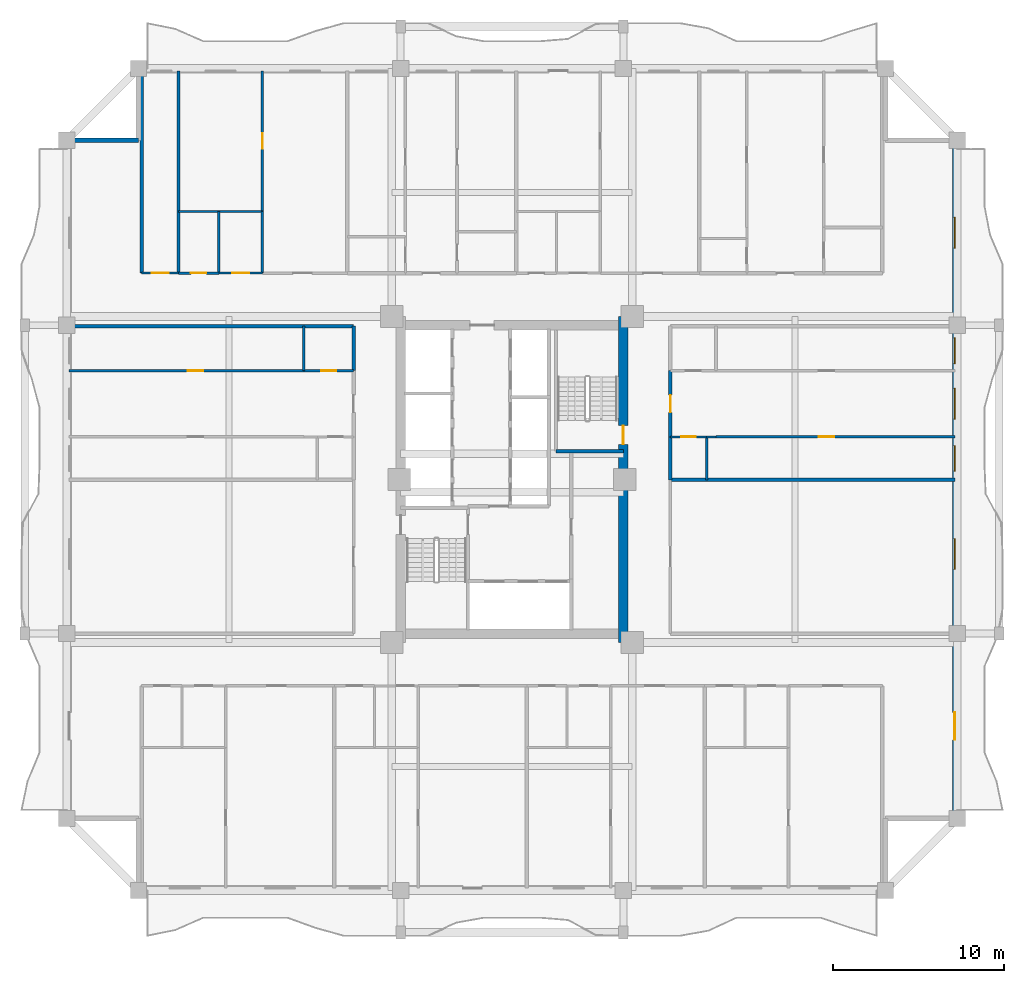
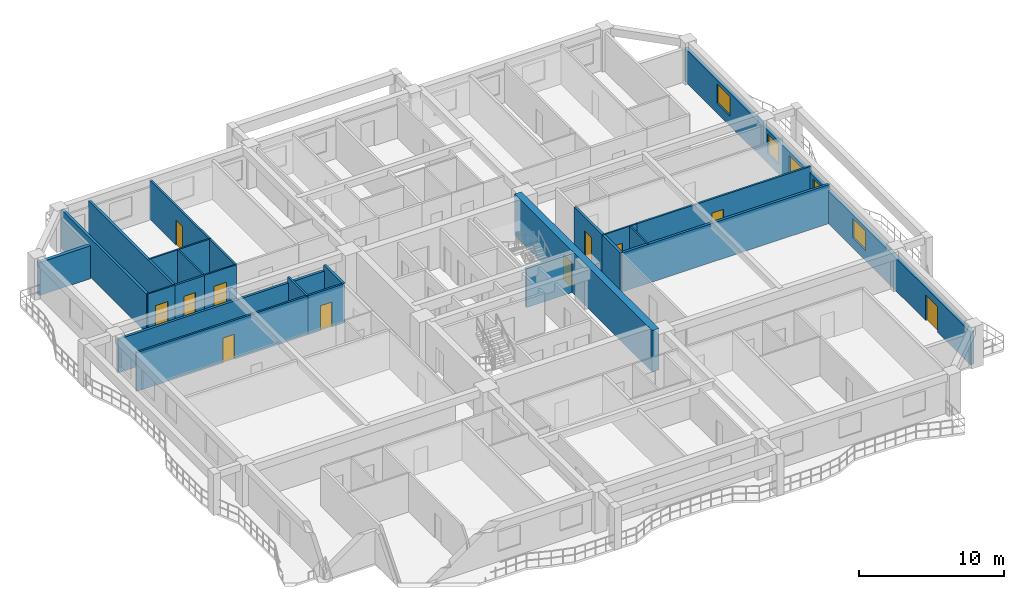
# One storey, part 5 of 17: 25 walls, 11 doors, 5 windows, 16 openings.
"""IFC4 building model written with IfcOpenShell, lengths in metres."""

from ifc_helpers import new_model, si_unit, direction, frame, frame_2d, origin, place, context, subcontext, project, spatial, rectangle, extrude, source, transform, mapped, material, layer, layer_set, type_object, element, fill, save


model = new_model("IFC4")

# Units and contexts
model_context = context("Model", 3, precision=1e-05, world=origin(), true_north=direction((0.0, 1.0)))
body_context = subcontext(model_context, "Body", "Model", "MODEL_VIEW")
ifc_project = project(units=[si_unit("LENGTHUNIT", "METRE"), si_unit("AREAUNIT", "SQUARE_METRE"), si_unit("VOLUMEUNIT", "CUBIC_METRE"), si_unit("PLANEANGLEUNIT", "RADIAN"), si_unit("MASSUNIT", "GRAM", prefix="KILO")], contexts=[model_context])

# Site, building, storey
site_placement = place(None, origin())
site = spatial("IfcSite", under=ifc_project, at=site_placement, CompositionType="ELEMENT")
building_placement = place(site_placement, origin())
building = spatial("IfcBuilding", under=site, at=building_placement, Name="Saelheon Loggia Tower", CompositionType="ELEMENT")
storey_placement = place(building_placement, frame((0.0, 0.0, 74.35009765625)))
storey = spatial("IfcBuildingStorey", under=building, at=storey_placement, Name="L23", CompositionType="ELEMENT", Elevation=74.35009765625)

# Wall, opening, door
ifc_material_1 = material(Name="Concrete C50/60", Category="concrete")
ifc_layer_1 = layer(ifc_material_1, 0.550048828125)
ifc_layer_set_1 = layer_set([ifc_layer_1], Name="Concrete C50/60")
wall_type_1 = type_object("IfcWallType", Name="Wall_CoreShear_550", PredefinedType="SHEAR", material=ifc_layer_set_1)
wall_1_placement = place(storey_placement, frame((44.5, 17.47998046875, 0.0), z_axis=(0.0, 0.0, 1.0), x_axis=(0.0, 1.0, 0.0)))
wall_1 = element("IfcWall", 1, at=wall_1_placement, inside=storey, type_object=wall_type_1, Name="L23 Core Shear Wall East", PredefinedType="SHEAR", context=body_context, shape_type="SweptSolid", body=[
    extrude(rectangle(XDim=19.0400390625, YDim=0.550048828125, at=frame_2d((9.52001953125, 0.0))), origin(), (0.0, 0.0, 1.0), 3.5),
])
opening_1_placement = place(wall_1_placement, frame((12.670166015625, 0.0, 0.0), z_axis=(0.0, 0.0, 1.0), x_axis=(-1.0, 0.0, 0.0)))
opening_1 = element("IfcOpeningElement", 2, at=opening_1_placement, cuts=wall_1, Name="Opening D-FD2", PredefinedType="OPENING", context=body_context, shape_type="SweptSolid", body=[
    extrude(rectangle(XDim=1.10009765625, YDim=2.14990234375, at=frame_2d((0.550048828125, 1.074951171875))), frame((0.0, 0.287109375, 0.0), z_axis=(0.0, -1.0, 0.0), x_axis=(1.0, 0.0, 0.0)), (0.0, 0.0, 1.0), 0.573974609375),
])
ifc_material_2 = material(Name="Galvanised Steel Fire Door", Category="steel")
door_type_1 = type_object("IfcDoorType", Name="Door_Fire_FD60_1100", OperationType="NOTDEFINED", PredefinedType="DOOR", material=ifc_material_2)
shared_shape_1 = source(origin(), body_context, "Body", "SweptSolid", [
    extrude(rectangle(XDim=1.10009765625, YDim=2.14990234375, at=frame_2d((0.550048828125, 1.074951171875))), frame((0.0, 0.02490234375, 0.0), z_axis=(0.0, -1.0, 0.0), x_axis=(1.0, 0.0, 0.0)), (0.0, 0.0, 1.0), 0.050048828125),
])
door_1_placement = place(opening_1_placement, origin())
door_1 = element("IfcDoor", 3, at=door_1_placement, inside=storey, type_object=door_type_1, Name="L23 Stair ST2 Corridor Door", OperationType="SINGLE_SWING_RIGHT", OverallHeight=2.14990234375, OverallWidth=1.10009765625, PredefinedType="DOOR", context=body_context, shape_type="MappedRepresentation", body=[
    mapped(shared_shape_1, transform((0.0, 0.0, 0.0), scale=1.0)),
])
fill(opening_1, door_1)

# Wall, openings, windows, door
ifc_material_3 = material(Name="Architectural Precast Concrete C40/50", Category="concrete")
ifc_layer_2 = layer(ifc_material_3, 0.280029296875)
ifc_layer_set_2 = layer_set([ifc_layer_2], Name="Architectural Precast Concrete C40/50")
wall_type_2 = type_object("IfcWallType", Name="Wall_Ext_Loggia_280", PredefinedType="SOLIDWALL", material=ifc_layer_set_2)
wall_2_placement = place(storey_placement, frame((63.860107421875, 7.199951171875, 0.0), z_axis=(0.0, 0.0, 1.0), x_axis=(0.0, 1.0, 0.0)))
wall_2 = element("IfcWall", 4, at=wall_2_placement, inside=storey, type_object=wall_type_2, Name="L23 East Loggia Inner Wall", PredefinedType="SOLIDWALL", context=body_context, shape_type="SweptSolid", body=[
    extrude(rectangle(XDim=39.60009765625, YDim=0.280029296875, at=frame_2d((19.800048828125, 0.0))), origin(), (0.0, 0.0, 1.0), 2.77978515625),
])
opening_2_placement = place(wall_2_placement, frame((6.2001953125, 0.0, 0.0), z_axis=(0.0, 0.0, 1.0), x_axis=(-1.0, 0.0, 0.0)))
opening_2 = element("IfcOpeningElement", 5, at=opening_2_placement, cuts=wall_2, Name="Opening DLG-1", PredefinedType="OPENING", context=body_context, shape_type="SweptSolid", body=[
    extrude(rectangle(XDim=1.60009765625, YDim=2.14990234375, at=frame_2d((0.800048828125, 1.074951171875))), frame((0.0, 0.152099609375, 0.0), z_axis=(0.0, -1.0, 0.0), x_axis=(1.0, 0.0, 0.0)), (0.0, 0.0, 1.0), 0.303955078125),
])
opening_3_placement = place(wall_2_placement, frame((14.544921875, 0.0, 0.85009765625)))
opening_3 = element("IfcOpeningElement", 6, at=opening_3_placement, cuts=wall_2, Name="Opening WN-01", PredefinedType="OPENING", context=body_context, shape_type="SweptSolid", body=[
    extrude(rectangle(XDim=1.800048828125, YDim=1.64990234375, at=frame_2d((0.89990234375, 0.824951171875))), frame((0.0, 0.152099609375, 0.0), z_axis=(0.0, -1.0, 0.0), x_axis=(1.0, 0.0, 0.0)), (0.0, 0.0, 1.0), 0.303955078125),
])
opening_4_placement = place(wall_2_placement, frame((20.281494140625, 0.0, 0.85009765625)))
opening_4 = element("IfcOpeningElement", 7, at=opening_4_placement, cuts=wall_2, Name="Opening WN-02", PredefinedType="OPENING", context=body_context, shape_type="SweptSolid", body=[
    extrude(rectangle(XDim=1.5, YDim=1.64990234375, at=frame_2d((0.75, 0.824951171875))), frame((0.0, 0.152099609375, 0.0), z_axis=(0.0, -1.0, 0.0), x_axis=(1.0, 0.0, 0.0)), (0.0, 0.0, 1.0), 0.303955078125),
])
opening_5_placement = place(wall_2_placement, frame((23.319091796875, 0.0, 0.85009765625)))
opening_5 = element("IfcOpeningElement", 8, at=opening_5_placement, cuts=wall_2, Name="Opening WN-01", PredefinedType="OPENING", context=body_context, shape_type="SweptSolid", body=[
    extrude(rectangle(XDim=1.800048828125, YDim=1.64990234375, at=frame_2d((0.89990234375, 0.824951171875))), frame((0.0, 0.152099609375, 0.0), z_axis=(0.0, -1.0, 0.0), x_axis=(1.0, 0.0, 0.0)), (0.0, 0.0, 1.0), 0.303955078125),
])
opening_6_placement = place(wall_2_placement, frame((26.5673828125, 0.0, 0.85009765625)))
opening_6 = element("IfcOpeningElement", 9, at=opening_6_placement, cuts=wall_2, Name="Opening WN-02", PredefinedType="OPENING", context=body_context, shape_type="SweptSolid", body=[
    extrude(rectangle(XDim=1.5, YDim=1.64990234375, at=frame_2d((0.75, 0.824951171875))), frame((0.0, 0.152099609375, 0.0), z_axis=(0.0, -1.0, 0.0), x_axis=(1.0, 0.0, 0.0)), (0.0, 0.0, 1.0), 0.303955078125),
])
opening_7_placement = place(wall_2_placement, frame((33.300048828125, 0.0, 0.85009765625)))
opening_7 = element("IfcOpeningElement", 10, at=opening_7_placement, cuts=wall_2, Name="Opening WN-01", PredefinedType="OPENING", context=body_context, shape_type="SweptSolid", body=[
    extrude(rectangle(XDim=1.800048828125, YDim=1.64990234375, at=frame_2d((0.89990234375, 0.824951171875))), frame((0.0, 0.152099609375, 0.0), z_axis=(0.0, -1.0, 0.0), x_axis=(1.0, 0.0, 0.0)), (0.0, 0.0, 1.0), 0.303955078125),
])
ifc_material_4 = material(Name="Thermal-Break Aluminium and Triple Low-E Glass", Category="aluminium")
window_type_1 = type_object("IfcWindowType", Name="Win_Dwelling_1800x1650", PartitioningType="SINGLE_PANEL", PredefinedType="WINDOW", material=ifc_material_4)
shared_shape_2 = source(origin(), body_context, "Body", "SweptSolid", [
    extrude(rectangle(XDim=1.800048828125, YDim=1.64990234375, at=frame_2d((0.89990234375, 0.824951171875))), frame((0.0, 0.030029296875, 0.0), z_axis=(0.0, -1.0, 0.0), x_axis=(1.0, 0.0, 0.0)), (0.0, 0.0, 1.0), 0.06005859375),
])
window_1_placement = place(opening_3_placement, origin())
window_1 = element("IfcWindow", 11, at=window_1_placement, inside=storey, type_object=window_type_1, Name="L23 E Dwelling Window 2", OverallHeight=1.64990234375, OverallWidth=1.800048828125, PartitioningType="SINGLE_PANEL", PredefinedType="WINDOW", context=body_context, shape_type="MappedRepresentation", body=[
    mapped(shared_shape_2, transform((0.0, 0.0, 0.0), scale=1.0)),
])
fill(opening_3, window_1)
window_2_placement = place(opening_5_placement, origin())
window_2 = element("IfcWindow", 12, at=window_2_placement, inside=storey, type_object=window_type_1, Name="L23 E Dwelling Window 4", OverallHeight=1.64990234375, OverallWidth=1.800048828125, PartitioningType="SINGLE_PANEL", PredefinedType="WINDOW", context=body_context, shape_type="MappedRepresentation", body=[
    mapped(shared_shape_2, transform((0.0, 0.0, 0.0), scale=1.0)),
])
fill(opening_5, window_2)
window_3_placement = place(opening_7_placement, origin())
window_3 = element("IfcWindow", 13, at=window_3_placement, inside=storey, type_object=window_type_1, Name="L23 E Dwelling Window 6", OverallHeight=1.64990234375, OverallWidth=1.800048828125, PartitioningType="SINGLE_PANEL", PredefinedType="WINDOW", context=body_context, shape_type="MappedRepresentation", body=[
    mapped(shared_shape_2, transform((0.0, 0.0, 0.0), scale=1.0)),
])
fill(opening_7, window_3)
ifc_material_5 = material(Name="Thermal-Break Aluminium Sliding Glazed Door", Category="aluminium")
door_type_2 = type_object("IfcDoorType", Name="Door_LoggiaSlide_1600", OperationType="SLIDING_TO_LEFT", PredefinedType="DOOR", material=ifc_material_5)
shared_shape_3 = source(origin(), body_context, "Body", "SweptSolid", [
    extrude(rectangle(XDim=1.60009765625, YDim=2.14990234375, at=frame_2d((0.800048828125, 1.074951171875))), frame((0.0, 0.02490234375, 0.0), z_axis=(0.0, -1.0, 0.0), x_axis=(1.0, 0.0, 0.0)), (0.0, 0.0, 1.0), 0.050048828125),
])
door_2_placement = place(opening_2_placement, origin())
door_2 = element("IfcDoor", 14, at=door_2_placement, inside=storey, type_object=door_type_2, Name="L23 E Loggia Access Door", OperationType="SLIDING_TO_LEFT", OverallHeight=2.14990234375, OverallWidth=1.60009765625, PredefinedType="DOOR", context=body_context, shape_type="MappedRepresentation", body=[
    mapped(shared_shape_3, transform((0.0, 0.0, 0.0), scale=1.0)),
])
fill(opening_2, door_2)
window_type_2 = type_object("IfcWindowType", Name="Win_Dwelling_1500x1650", PartitioningType="SINGLE_PANEL", PredefinedType="WINDOW", material=ifc_material_4)
shared_shape_4 = source(origin(), body_context, "Body", "SweptSolid", [
    extrude(rectangle(XDim=1.5, YDim=1.64990234375, at=frame_2d((0.75, 0.824951171875))), frame((0.0, 0.030029296875, 0.0), z_axis=(0.0, -1.0, 0.0), x_axis=(1.0, 0.0, 0.0)), (0.0, 0.0, 1.0), 0.06005859375),
])
window_4_placement = place(opening_4_placement, origin())
window_4 = element("IfcWindow", 15, at=window_4_placement, inside=storey, type_object=window_type_2, Name="L23 E Dwelling Window 3", OverallHeight=1.64990234375, OverallWidth=1.5, PartitioningType="SINGLE_PANEL", PredefinedType="WINDOW", context=body_context, shape_type="MappedRepresentation", body=[
    mapped(shared_shape_4, transform((0.0, 0.0, 0.0), scale=1.0)),
])
fill(opening_4, window_4)
window_5_placement = place(opening_6_placement, origin())
window_5 = element("IfcWindow", 16, at=window_5_placement, inside=storey, type_object=window_type_2, Name="L23 E Dwelling Window 5", OverallHeight=1.64990234375, OverallWidth=1.5, PartitioningType="SINGLE_PANEL", PredefinedType="WINDOW", context=body_context, shape_type="MappedRepresentation", body=[
    mapped(shared_shape_4, transform((0.0, 0.0, 0.0), scale=1.0)),
])
fill(opening_6, window_5)

# Walls
wall_3_placement = place(storey_placement, frame((12.080078125, 46.800048828125, 0.0), z_axis=(0.0, 0.0, 1.0), x_axis=(1.0, 0.0, 0.0)))
element("IfcWall", 17, at=wall_3_placement, inside=storey, type_object=wall_type_2, Name="L23 Corner Notch Precast Wall NW2", PredefinedType="SOLIDWALL", context=body_context, shape_type="SweptSolid", body=[
    extrude(rectangle(XDim=4.119873046875, YDim=0.280029296875, at=frame_2d((2.06005859375, 0.0))), origin(), (0.0, 0.0, 1.0), 2.77978515625),
])
ifc_material_6 = material(Name="Lightweight Autoclaved Aerated Concrete Block and Acoustic Gypsum", Category="concrete")
ifc_layer_3 = layer(ifc_material_6, 0.14990234375)
ifc_layer_set_3 = layer_set([ifc_layer_3], Name="Lightweight Autoclaved Aerated Concrete Block and Acoustic Gypsum")
wall_type_3 = type_object("IfcWallType", Name="Wall_Part_150", PredefinedType="PARTITIONING", material=ifc_layer_set_3)
wall_4_placement = place(storey_placement, frame((23.429931640625, 39.050048828125, 0.0), z_axis=(0.0, 0.0, 1.0), x_axis=(0.0, 1.0, 0.0)))
element("IfcWall", 18, at=wall_4_placement, inside=storey, type_object=wall_type_3, Name="L23 N Partition U06", PredefinedType="PARTITIONING", context=body_context, shape_type="SweptSolid", body=[
    extrude(rectangle(XDim=3.599853515625, YDim=0.14990234375, at=frame_2d((1.7998046875, 0.0))), origin(), (0.0, 0.0, 1.0), 3.289794921875),
])

# Wall, opening, door
wall_5_placement = place(storey_placement, frame((23.429931640625, 42.64990234375, 0.0), z_axis=(0.0, 0.0, 1.0), x_axis=(0.0, 1.0, 0.0)))
wall_5 = element("IfcWall", 19, at=wall_5_placement, inside=storey, type_object=wall_type_3, Name="L23 N Partition U07", PredefinedType="PARTITIONING", context=body_context, shape_type="SweptSolid", body=[
    extrude(rectangle(XDim=8.2001953125, YDim=0.14990234375, at=frame_2d((4.10009765625, 0.0))), origin(), (0.0, 0.0, 1.0), 3.289794921875),
])
opening_8_placement = place(wall_5_placement, frame((3.64990234375, 0.0, 0.0)))
opening_8 = element("IfcOpeningElement", 20, at=opening_8_placement, cuts=wall_5, Name="Opening D-IN2", PredefinedType="OPENING", context=body_context, shape_type="SweptSolid", body=[
    extrude(rectangle(XDim=0.89990234375, YDim=2.10009765625, at=frame_2d((0.449951171875, 1.050048828125))), frame((0.0, 0.0869140625, 0.0), z_axis=(0.0, -1.0, 0.0), x_axis=(1.0, 0.0, 0.0)), (0.0, 0.0, 1.0), 0.173828125),
])
ifc_material_7 = material(Name="Engineered Oak Flush Door", Category="timber")
door_type_3 = type_object("IfcDoorType", Name="Door_Int_900", OperationType="NOTDEFINED", PredefinedType="DOOR", material=ifc_material_7)
shared_shape_5 = source(origin(), body_context, "Body", "SweptSolid", [
    extrude(rectangle(XDim=0.89990234375, YDim=2.10009765625, at=frame_2d((0.449951171875, 1.050048828125))), frame((0.0, 0.02490234375, 0.0), z_axis=(0.0, -1.0, 0.0), x_axis=(1.0, 0.0, 0.0)), (0.0, 0.0, 1.0), 0.050048828125),
])
door_3_placement = place(opening_8_placement, origin())
door_3 = element("IfcDoor", 21, at=door_3_placement, inside=storey, type_object=door_type_3, Name="L23 Reading Alcove Door", OperationType="SINGLE_SWING_LEFT", OverallHeight=2.10009765625, OverallWidth=0.89990234375, PredefinedType="DOOR", context=body_context, shape_type="MappedRepresentation", body=[
    mapped(shared_shape_5, transform((0.0, 0.0, 0.0), scale=1.0)),
])
fill(opening_8, door_3)

wall_6_placement = place(storey_placement, frame((18.530029296875, 39.050048828125, 0.0), z_axis=(0.0, 0.0, 1.0), x_axis=(1.0, 0.0, 0.0)))
wall_6 = element("IfcWall", 22, at=wall_6_placement, inside=storey, type_object=wall_type_3, Name="L23 N Partition V09", PredefinedType="PARTITIONING", context=body_context, shape_type="SweptSolid", body=[
    extrude(rectangle(XDim=2.349853515625, YDim=0.14990234375, at=frame_2d((1.1748046875, 0.0))), origin(), (0.0, 0.0, 1.0), 3.289794921875),
])
opening_9_placement = place(wall_6_placement, frame((0.72509765625, 0.0, 0.0)))
opening_9 = element("IfcOpeningElement", 23, at=opening_9_placement, cuts=wall_6, Name="Opening D-IN2", PredefinedType="OPENING", context=body_context, shape_type="SweptSolid", body=[
    extrude(rectangle(XDim=0.89990234375, YDim=2.10009765625, at=frame_2d((0.449951171875, 1.050048828125))), frame((0.0, 0.0869140625, 0.0), z_axis=(0.0, -1.0, 0.0), x_axis=(1.0, 0.0, 0.0)), (0.0, 0.0, 1.0), 0.173828125),
])
door_4_placement = place(opening_9_placement, origin())
door_4 = element("IfcDoor", 24, at=door_4_placement, inside=storey, type_object=door_type_3, Name="L23 Community Pantry Door", OperationType="SINGLE_SWING_RIGHT", OverallHeight=2.10009765625, OverallWidth=0.89990234375, PredefinedType="DOOR", context=body_context, shape_type="MappedRepresentation", body=[
    mapped(shared_shape_5, transform((0.0, 0.0, 0.0), scale=1.0)),
])
fill(opening_9, door_4)

# Wall
wall_7_placement = place(storey_placement, frame((25.85009765625, 33.35009765625, 0.0), z_axis=(0.0, 0.0, 1.0), x_axis=(0.0, 1.0, 0.0)))
element("IfcWall", 25, at=wall_7_placement, inside=storey, type_object=wall_type_3, Name="L23 W Partition V09", PredefinedType="PARTITIONING", context=body_context, shape_type="SweptSolid", body=[
    extrude(rectangle(XDim=2.599853515625, YDim=0.14990234375, at=frame_2d((1.2998046875, 0.0))), origin(), (0.0, 0.0, 1.0), 3.289794921875),
])

# Wall, opening, door
wall_8_placement = place(storey_placement, frame((28.75, 33.35009765625, 0.0), z_axis=(0.0, 0.0, 1.0), x_axis=(-1.0, 0.0, 0.0)))
wall_8 = element("IfcWall", 26, at=wall_8_placement, inside=storey, type_object=wall_type_3, Name="L23 W Partition U13", PredefinedType="PARTITIONING", context=body_context, shape_type="SweptSolid", body=[
    extrude(rectangle(XDim=2.89990234375, YDim=0.14990234375, at=frame_2d((1.449951171875, 0.0))), origin(), (0.0, 0.0, 1.0), 3.289794921875),
])
opening_10_placement = place(wall_8_placement, frame((1.0, 0.0, 0.0)))
opening_10 = element("IfcOpeningElement", 27, at=opening_10_placement, cuts=wall_8, Name="Opening D-IN2", PredefinedType="OPENING", context=body_context, shape_type="SweptSolid", body=[
    extrude(rectangle(XDim=0.89990234375, YDim=2.10009765625, at=frame_2d((0.449951171875, 1.050048828125))), frame((0.0, 0.0869140625, 0.0), z_axis=(0.0, -1.0, 0.0), x_axis=(1.0, 0.0, 0.0)), (0.0, 0.0, 1.0), 0.173828125),
])
door_5_placement = place(opening_10_placement, origin())
door_5 = element("IfcDoor", 28, at=door_5_placement, inside=storey, type_object=door_type_3, Name="Unit U03 Dressing Closet Door", OperationType="SINGLE_SWING_LEFT", OverallHeight=2.10009765625, OverallWidth=0.89990234375, PredefinedType="DOOR", context=body_context, shape_type="MappedRepresentation", body=[
    mapped(shared_shape_5, transform((0.0, 0.0, 0.0), scale=1.0)),
])
fill(opening_10, door_5)

wall_9_placement = place(storey_placement, frame((25.85009765625, 33.35009765625, 0.0), z_axis=(0.0, 0.0, 1.0), x_axis=(-1.0, 0.0, 0.0)))
wall_9 = element("IfcWall", 29, at=wall_9_placement, inside=storey, type_object=wall_type_3, Name="L23 W Partition U14", PredefinedType="PARTITIONING", context=body_context, shape_type="SweptSolid", body=[
    extrude(rectangle(XDim=13.7001953125, YDim=0.14990234375, at=frame_2d((6.85009765625, 0.0))), origin(), (0.0, 0.0, 1.0), 3.289794921875),
])
opening_11_placement = place(wall_9_placement, frame((5.88671875, 0.0, 0.0)))
opening_11 = element("IfcOpeningElement", 30, at=opening_11_placement, cuts=wall_9, Name="Opening D-IN2", PredefinedType="OPENING", context=body_context, shape_type="SweptSolid", body=[
    extrude(rectangle(XDim=0.89990234375, YDim=2.10009765625, at=frame_2d((0.449951171875, 1.050048828125))), frame((0.0, 0.0869140625, 0.0), z_axis=(0.0, -1.0, 0.0), x_axis=(1.0, 0.0, 0.0)), (0.0, 0.0, 1.0), 0.173828125),
])
door_6_placement = place(opening_11_placement, origin())
door_6 = element("IfcDoor", 31, at=door_6_placement, inside=storey, type_object=door_type_3, Name="Unit U03 Bedroom 1 Door", OperationType="SINGLE_SWING_RIGHT", OverallHeight=2.10009765625, OverallWidth=0.89990234375, PredefinedType="DOOR", context=body_context, shape_type="MappedRepresentation", body=[
    mapped(shared_shape_5, transform((0.0, 0.0, 0.0), scale=1.0)),
])
fill(opening_11, door_6)

wall_10_placement = place(storey_placement, frame((49.909912109375, 29.488037109375, 0.0), z_axis=(0.0, 0.0, 1.0), x_axis=(1.0, 0.0, 0.0)))
wall_10 = element("IfcWall", 32, at=wall_10_placement, inside=storey, type_object=wall_type_3, Name="L23 E Partition U12", PredefinedType="PARTITIONING", context=body_context, shape_type="SweptSolid", body=[
    extrude(rectangle(XDim=13.940185546875, YDim=0.14990234375, at=frame_2d((6.97021484375, 0.0))), origin(), (0.0, 0.0, 1.0), 3.289794921875),
])
opening_12_placement = place(wall_10_placement, frame((5.99658203125, 0.0, 0.0)))
opening_12 = element("IfcOpeningElement", 33, at=opening_12_placement, cuts=wall_10, Name="Opening D-IN2", PredefinedType="OPENING", context=body_context, shape_type="SweptSolid", body=[
    extrude(rectangle(XDim=0.89990234375, YDim=2.10009765625, at=frame_2d((0.449951171875, 1.050048828125))), frame((0.0, 0.0869140625, 0.0), z_axis=(0.0, -1.0, 0.0), x_axis=(1.0, 0.0, 0.0)), (0.0, 0.0, 1.0), 0.173828125),
])
door_7_placement = place(opening_12_placement, origin())
door_7 = element("IfcDoor", 34, at=door_7_placement, inside=storey, type_object=door_type_3, Name="Unit U04 Kitchen Door", OperationType="SINGLE_SWING_RIGHT", OverallHeight=2.10009765625, OverallWidth=0.89990234375, PredefinedType="DOOR", context=body_context, shape_type="MappedRepresentation", body=[
    mapped(shared_shape_5, transform((0.0, 0.0, 0.0), scale=1.0)),
])
fill(opening_12, door_7)

# Walls
ifc_material_8 = material(Name="Double Acoustic Stud and Fireboard Partition", Category="gypsum")
ifc_layer_4 = layer(ifc_material_8, 0.199951171875)
ifc_layer_set_4 = layer_set([ifc_layer_4], Name="Double Acoustic Stud and Fireboard Partition")
wall_type_4 = type_object("IfcWallType", Name="Wall_Party_200", PredefinedType="PARTITIONING", material=ifc_layer_set_4)
for number, where, z_axis, x_axis, name in (
    (35, (16.3798828125, 39.050048828125, 0.0), (0.0, 0.0, 1.0), (0.0, 1.0, 0.0), "L23 N Partition U01"),
    (36, (18.530029296875, 39.050048828125, 0.0), (0.0, 0.0, 1.0), (0.0, 1.0, 0.0), "L23 N Partition U03"),
):
    element("IfcWall", number, at=place(storey_placement, frame(where, z_axis=z_axis, x_axis=x_axis)), inside=storey, type_object=wall_type_4, Name=name, PredefinedType="PARTITIONING", context=body_context, shape_type="SweptSolid", body=[
        extrude(rectangle(XDim=11.800048828125, YDim=0.199951171875, at=frame_2d((5.89990234375, 0.0))), origin(), (0.0, 0.0, 1.0), 3.289794921875),
    ])
wall_11_placement = place(storey_placement, frame((28.75, 35.949951171875, 0.0), z_axis=(0.0, 0.0, 1.0), x_axis=(-1.0, 0.0, 0.0)))
element("IfcWall", 37, at=wall_11_placement, inside=storey, type_object=wall_type_4, Name="L23 W Partition U02", PredefinedType="PARTITIONING", context=body_context, shape_type="SweptSolid", body=[
    extrude(rectangle(XDim=16.60009765625, YDim=0.199951171875, at=frame_2d((8.300048828125, 0.0))), origin(), (0.0, 0.0, 1.0), 2.83984375),
])
wall_12_placement = place(storey_placement, frame((28.75, 33.35009765625, 0.0), z_axis=(0.0, 0.0, 1.0), x_axis=(0.0, 1.0, 0.0)))
element("IfcWall", 38, at=wall_12_placement, inside=storey, type_object=wall_type_4, Name="L23 W Partition V07", PredefinedType="PARTITIONING", context=body_context, shape_type="SweptSolid", body=[
    extrude(rectangle(XDim=2.599853515625, YDim=0.199951171875, at=frame_2d((1.2998046875, 0.0))), origin(), (0.0, 0.0, 1.0), 3.289794921875),
])
wall_13_placement = place(storey_placement, frame((47.25, 26.97509765625, 0.0), z_axis=(0.0, 0.0, 1.0), x_axis=(1.0, 0.0, 0.0)))
element("IfcWall", 39, at=wall_13_placement, inside=storey, type_object=wall_type_4, Name="L23 E Partition U04", PredefinedType="PARTITIONING", context=body_context, shape_type="SweptSolid", body=[
    extrude(rectangle(XDim=16.60009765625, YDim=0.199951171875, at=frame_2d((8.300048828125, 0.0))), origin(), (0.0, 0.0, 1.0), 3.289794921875),
])
wall_14_placement = place(storey_placement, frame((47.25, 26.97509765625, 0.0), z_axis=(0.0, 0.0, 1.0), x_axis=(0.0, 1.0, 0.0)))
element("IfcWall", 40, at=wall_14_placement, inside=storey, type_object=wall_type_4, Name="L23 E Partition V05", PredefinedType="PARTITIONING", context=body_context, shape_type="SweptSolid", body=[
    extrude(rectangle(XDim=2.512939453125, YDim=0.199951171875, at=frame_2d((1.25634765625, 0.0))), origin(), (0.0, 0.0, 1.0), 3.289794921875),
])

# Wall, opening, door
wall_15_placement = place(storey_placement, frame((47.25, 29.488037109375, 0.0), z_axis=(0.0, 0.0, 1.0), x_axis=(0.0, 1.0, 0.0)))
wall_15 = element("IfcWall", 41, at=wall_15_placement, inside=storey, type_object=wall_type_4, Name="L23 E Partition V06", PredefinedType="PARTITIONING", context=body_context, shape_type="SweptSolid", body=[
    extrude(rectangle(XDim=3.862060546875, YDim=0.199951171875, at=frame_2d((1.93115234375, 0.0))), origin(), (0.0, 0.0, 1.0), 3.289794921875),
])
opening_13_placement = place(wall_15_placement, frame((1.430908203125, 0.0, 0.0)))
opening_13 = element("IfcOpeningElement", 42, at=opening_13_placement, cuts=wall_15, Name="Opening D-FD1", PredefinedType="OPENING", context=body_context, shape_type="SweptSolid", body=[
    extrude(rectangle(XDim=1.0, YDim=2.14990234375, at=frame_2d((0.5, 1.074951171875))), frame((0.0, 0.112060546875, 0.0), z_axis=(0.0, -1.0, 0.0), x_axis=(1.0, 0.0, 0.0)), (0.0, 0.0, 1.0), 0.223876953125),
])
ifc_material_9 = material(Name="Fire-Rated Engineered Timber Entrance Door", Category="wood")
door_type_4 = type_object("IfcDoorType", Name="Door_Flat_FD30S", OperationType="NOTDEFINED", PredefinedType="DOOR", material=ifc_material_9)
shared_shape_6 = source(origin(), body_context, "Body", "SweptSolid", [
    extrude(rectangle(XDim=1.0, YDim=2.14990234375, at=frame_2d((0.5, 1.074951171875))), frame((0.0, 0.02490234375, 0.0), z_axis=(0.0, -1.0, 0.0), x_axis=(1.0, 0.0, 0.0)), (0.0, 0.0, 1.0), 0.050048828125),
])
door_8_placement = place(opening_13_placement, origin())
door_8 = element("IfcDoor", 43, at=door_8_placement, inside=storey, type_object=door_type_4, Name="Unit U04 Entrance Door", OperationType="SINGLE_SWING_RIGHT", OverallHeight=2.14990234375, OverallWidth=1.0, PredefinedType="DOOR", context=body_context, shape_type="MappedRepresentation", body=[
    mapped(shared_shape_6, transform((0.0, 0.0, 0.0), scale=1.0)),
])
fill(opening_13, door_8)

# Wall
ifc_material_10 = material(Name="Concrete C45/55", Category="concrete")
ifc_layer_5 = layer(ifc_material_10, 0.199951171875)
ifc_layer_set_5 = layer_set([ifc_layer_5], Name="Concrete C45/55")
wall_type_5 = type_object("IfcWallType", Name="Wall_StairShaft_RC200", PredefinedType="SOLIDWALL", material=ifc_layer_set_5)
wall_16_placement = place(storey_placement, frame((40.570068359375, 28.64990234375, 0.0), z_axis=(0.0, 0.0, 1.0), x_axis=(1.0, 0.0, 0.0)))
element("IfcWall", 44, at=wall_16_placement, inside=storey, type_object=wall_type_5, Name="L23 Stair ST2 South Wall", PredefinedType="SOLIDWALL", context=body_context, shape_type="SweptSolid", body=[
    extrude(rectangle(XDim=3.929931640625, YDim=0.199951171875, at=frame_2d((1.96484375, 0.0))), origin(), (0.0, 0.0, 1.0), 3.289794921875),
])

# Wall, opening, door
ifc_material_11 = material(Name="Moisture-Resistant Cement Board Partition", Category="gypsum")
ifc_layer_6 = layer(ifc_material_11, 0.1201171875)
ifc_layer_set_6 = layer_set([ifc_layer_6], Name="Moisture-Resistant Cement Board Partition")
wall_type_6 = type_object("IfcWallType", Name="Wall_WetPart_120", PredefinedType="PARTITIONING", material=ifc_layer_set_6)
wall_17_placement = place(storey_placement, frame((16.3798828125, 39.050048828125, 0.0), z_axis=(0.0, 0.0, 1.0), x_axis=(1.0, 0.0, 0.0)))
wall_17 = element("IfcWall", 45, at=wall_17_placement, inside=storey, type_object=wall_type_6, Name="L23 N Partition V04", PredefinedType="PARTITIONING", context=body_context, shape_type="SweptSolid", body=[
    extrude(rectangle(XDim=2.150146484375, YDim=0.1201171875, at=frame_2d((1.0751953125, 0.0))), origin(), (0.0, 0.0, 1.0), 3.289794921875),
])
opening_14_placement = place(wall_17_placement, frame((0.574951171875, 0.0, 0.0)))
opening_14 = element("IfcOpeningElement", 46, at=opening_14_placement, cuts=wall_17, Name="Opening D-AC1", PredefinedType="OPENING", context=body_context, shape_type="SweptSolid", body=[
    extrude(rectangle(XDim=1.0, YDim=2.10009765625, at=frame_2d((0.5, 1.050048828125))), frame((0.0, 0.072021484375, 0.0), z_axis=(0.0, -1.0, 0.0), x_axis=(1.0, 0.0, 0.0)), (0.0, 0.0, 1.0), 0.14404296875),
])
ifc_material_12 = material(Name="Accessible Laminate Flush Door", Category="timber")
door_type_5 = type_object("IfcDoorType", Name="Door_Acc_1000", OperationType="NOTDEFINED", PredefinedType="DOOR", material=ifc_material_12)
shared_shape_7 = source(origin(), body_context, "Body", "SweptSolid", [
    extrude(rectangle(XDim=1.0, YDim=2.10009765625, at=frame_2d((0.5, 1.050048828125))), frame((0.0, 0.02490234375, 0.0), z_axis=(0.0, -1.0, 0.0), x_axis=(1.0, 0.0, 0.0)), (0.0, 0.0, 1.0), 0.050048828125),
])
door_9_placement = place(opening_14_placement, origin())
door_9 = element("IfcDoor", 47, at=door_9_placement, inside=storey, type_object=door_type_5, Name="L23 Floor Accessible WC Door", OperationType="SINGLE_SWING_RIGHT", OverallHeight=2.10009765625, OverallWidth=1.0, PredefinedType="DOOR", context=body_context, shape_type="MappedRepresentation", body=[
    mapped(shared_shape_7, transform((0.0, 0.0, 0.0), scale=1.0)),
])
fill(opening_14, door_9)

# Walls
wall_18_placement = place(storey_placement, frame((20.8798828125, 39.050048828125, 0.0), z_axis=(0.0, 0.0, 1.0), x_axis=(0.0, 1.0, 0.0)))
element("IfcWall", 48, at=wall_18_placement, inside=storey, type_object=wall_type_6, Name="L23 N Partition U05", PredefinedType="PARTITIONING", context=body_context, shape_type="SweptSolid", body=[
    extrude(rectangle(XDim=3.599853515625, YDim=0.1201171875, at=frame_2d((1.7998046875, 0.0))), origin(), (0.0, 0.0, 1.0), 3.289794921875),
])
wall_19_placement = place(storey_placement, frame((18.530029296875, 42.64990234375, 0.0), z_axis=(0.0, 0.0, 1.0), x_axis=(1.0, 0.0, 0.0)))
element("IfcWall", 49, at=wall_19_placement, inside=storey, type_object=wall_type_6, Name="L23 N Partition V08", PredefinedType="PARTITIONING", context=body_context, shape_type="SweptSolid", body=[
    extrude(rectangle(XDim=4.89990234375, YDim=0.1201171875, at=frame_2d((2.449951171875, 0.0))), origin(), (0.0, 0.0, 1.0), 3.289794921875),
])

# Wall, opening, door
wall_20_placement = place(storey_placement, frame((20.8798828125, 39.050048828125, 0.0), z_axis=(0.0, 0.0, 1.0), x_axis=(1.0, 0.0, 0.0)))
wall_20 = element("IfcWall", 50, at=wall_20_placement, inside=storey, type_object=wall_type_6, Name="L23 N Partition V10", PredefinedType="PARTITIONING", context=body_context, shape_type="SweptSolid", body=[
    extrude(rectangle(XDim=2.550048828125, YDim=0.1201171875, at=frame_2d((1.27490234375, 0.0))), origin(), (0.0, 0.0, 1.0), 3.289794921875),
])
opening_15_placement = place(wall_20_placement, frame((0.77490234375, 0.0, 0.0)))
opening_15 = element("IfcOpeningElement", 51, at=opening_15_placement, cuts=wall_20, Name="Opening D-AC1", PredefinedType="OPENING", context=body_context, shape_type="SweptSolid", body=[
    extrude(rectangle(XDim=1.0, YDim=2.10009765625, at=frame_2d((0.5, 1.050048828125))), frame((0.0, 0.072021484375, 0.0), z_axis=(0.0, -1.0, 0.0), x_axis=(1.0, 0.0, 0.0)), (0.0, 0.0, 1.0), 0.14404296875),
])
door_10_placement = place(opening_15_placement, origin())
door_10 = element("IfcDoor", 52, at=door_10_placement, inside=storey, type_object=door_type_5, Name="L23 Common Washroom Door", OperationType="SINGLE_SWING_LEFT", OverallHeight=2.10009765625, OverallWidth=1.0, PredefinedType="DOOR", context=body_context, shape_type="MappedRepresentation", body=[
    mapped(shared_shape_7, transform((0.0, 0.0, 0.0), scale=1.0)),
])
fill(opening_15, door_10)

# Wall
wall_21_placement = place(storey_placement, frame((49.3701171875, 26.97509765625, 0.0), z_axis=(0.0, 0.0, 1.0), x_axis=(0.0, 1.0, 0.0)))
element("IfcWall", 53, at=wall_21_placement, inside=storey, type_object=wall_type_6, Name="L23 E Partition V08", PredefinedType="PARTITIONING", context=body_context, shape_type="SweptSolid", body=[
    extrude(rectangle(XDim=2.512939453125, YDim=0.1201171875, at=frame_2d((1.25634765625, 0.0))), origin(), (0.0, 0.0, 1.0), 3.289794921875),
])

# Wall, opening, door
wall_22_placement = place(storey_placement, frame((47.25, 29.488037109375, 0.0), z_axis=(0.0, 0.0, 1.0), x_axis=(1.0, 0.0, 0.0)))
wall_22 = element("IfcWall", 54, at=wall_22_placement, inside=storey, type_object=wall_type_6, Name="L23 E Partition U10", PredefinedType="PARTITIONING", context=body_context, shape_type="SweptSolid", body=[
    extrude(rectangle(XDim=2.1201171875, YDim=0.1201171875, at=frame_2d((1.06005859375, 0.0))), origin(), (0.0, 0.0, 1.0), 3.289794921875),
])
opening_16_placement = place(wall_22_placement, frame((0.635009765625, 0.0, 0.0)))
opening_16 = element("IfcOpeningElement", 55, at=opening_16_placement, cuts=wall_22, Name="Opening D-BT1", PredefinedType="OPENING", context=body_context, shape_type="SweptSolid", body=[
    extrude(rectangle(XDim=0.85009765625, YDim=2.050048828125, at=frame_2d((0.425048828125, 1.02490234375))), frame((0.0, 0.072021484375, 0.0), z_axis=(0.0, -1.0, 0.0), x_axis=(1.0, 0.0, 0.0)), (0.0, 0.0, 1.0), 0.14404296875),
])
ifc_material_13 = material(Name="Moisture-Resistant Laminate Timber Door", Category="wood")
door_type_6 = type_object("IfcDoorType", Name="Door_Bath_850", OperationType="NOTDEFINED", PredefinedType="DOOR", material=ifc_material_13)
shared_shape_8 = source(origin(), body_context, "Body", "SweptSolid", [
    extrude(rectangle(XDim=0.85009765625, YDim=2.050048828125, at=frame_2d((0.425048828125, 1.02490234375))), frame((0.0, 0.02490234375, 0.0), z_axis=(0.0, -1.0, 0.0), x_axis=(1.0, 0.0, 0.0)), (0.0, 0.0, 1.0), 0.050048828125),
])
door_11_placement = place(opening_16_placement, origin())
door_11 = element("IfcDoor", 56, at=door_11_placement, inside=storey, type_object=door_type_6, Name="Unit U04 Bathroom Door", OperationType="SINGLE_SWING_LEFT", OverallHeight=2.050048828125, OverallWidth=0.85009765625, PredefinedType="DOOR", context=body_context, shape_type="MappedRepresentation", body=[
    mapped(shared_shape_8, transform((0.0, 0.0, 0.0), scale=1.0)),
])
fill(opening_16, door_11)

# Wall
wall_23_placement = place(storey_placement, frame((49.3701171875, 29.488037109375, 0.0), z_axis=(0.0, 0.0, 1.0), x_axis=(1.0, 0.0, 0.0)))
element("IfcWall", 57, at=wall_23_placement, inside=storey, type_object=wall_type_6, Name="L23 E Partition U11", PredefinedType="PARTITIONING", context=body_context, shape_type="SweptSolid", body=[
    extrude(rectangle(XDim=0.539794921875, YDim=0.1201171875, at=frame_2d((0.27001953125, 0.0))), origin(), (0.0, 0.0, 1.0), 3.289794921875),
])

save(model, "model.ifc")
